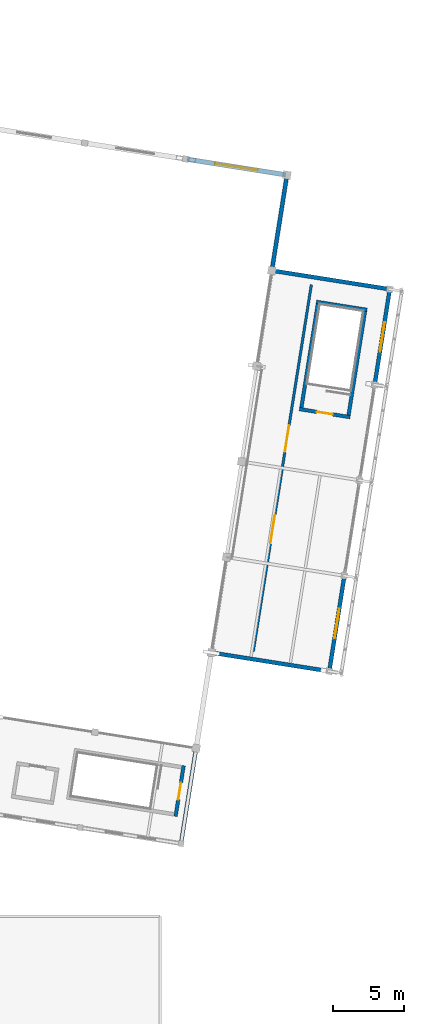
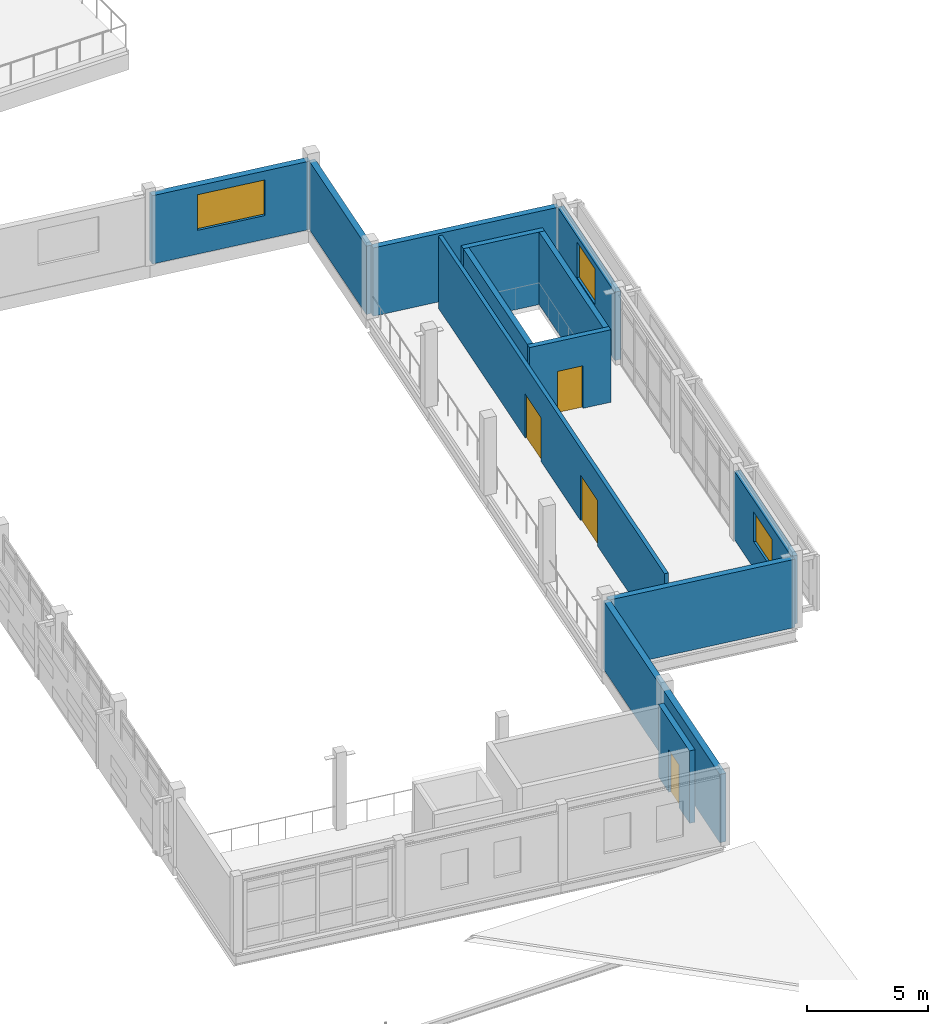
# One storey, part 102 of 117: 13 walls, 4 doors, 3 windows, 7 openings.
"""IFC4 building model written with IfcOpenShell, lengths in metres."""

from ifc_helpers import new_model, si_unit, direction, frame, frame_2d, origin, place, context, subcontext, project, spatial, rectangle, extrude, material, layer, layer_set, type_object, element, fill, save


model = new_model("IFC4")

# Units and contexts
model_context = context("Model", 3, precision=1e-05, world=origin(), true_north=direction((0.0, 1.0)))
body_context = subcontext(model_context, "Body", "Model", "MODEL_VIEW")
ifc_project = project(units=[si_unit("LENGTHUNIT", "METRE"), si_unit("AREAUNIT", "SQUARE_METRE"), si_unit("VOLUMEUNIT", "CUBIC_METRE"), si_unit("PLANEANGLEUNIT", "RADIAN"), si_unit("MASSUNIT", "GRAM", prefix="KILO")], contexts=[model_context])

# Site, building, storey
site_placement = place(None, origin())
site = spatial("IfcSite", under=ifc_project, at=site_placement, CompositionType="ELEMENT")
building_placement = place(site_placement, origin())
building = spatial("IfcBuilding", under=site, at=building_placement, Name="Cinderway Yard Community Centre", CompositionType="ELEMENT")
storey_placement = place(building_placement, frame((0.0, 0.0, 9.0)))
storey = spatial("IfcBuildingStorey", under=building, at=storey_placement, Name="L02", CompositionType="ELEMENT", Elevation=9.0)

# Wall, opening, window
ifc_material_1 = material(Name="Concrete C35/45", Category="concrete")
ifc_layer_1 = layer(ifc_material_1, 0.280029296875, Name="Concrete C35/45")
ifc_layer_set_1 = layer_set([ifc_layer_1], Name="Concrete C35/45")
wall_type_1 = type_object("IfcWallType", Name="ENV-WAL-EXT280", PredefinedType="SOLIDWALL", material=ifc_layer_set_1)
wall_1_placement = place(storey_placement, frame((148.7099609375, 40.1220703125, 0.0), z_axis=(0.0, 0.0, 1.0), x_axis=(0.156500089252, 0.987677944506, 0.0)))
wall_1 = element("IfcWall", 1, at=wall_1_placement, inside=storey, type_object=wall_type_1, Name="Athletics East Brick Wall ENV-WAL-L02-0082", PredefinedType="SOLIDWALL", context=body_context, shape_type="SweptSolid", body=[
    extrude(rectangle(XDim=6.600341796875, YDim=0.280029296875, at=frame_2d((3.30029296875, 0.0))), origin(), (0.0, 0.0, 1.0), 3.449951171875),
])
opening_1_placement = place(wall_1_placement, frame((2.25, 0.0, 1.35009765625)))
opening_1 = element("IfcOpeningElement", 2, at=opening_1_placement, cuts=wall_1, Name="Opening W-04", PredefinedType="OPENING", context=body_context, shape_type="SweptSolid", body=[
    extrude(rectangle(XDim=2.10009765625, YDim=1.5, at=frame_2d((1.050048828125, 0.75))), frame((0.0, 0.14990234375, 0.0), z_axis=(0.0, -1.0, 0.0), x_axis=(1.0, 0.0, 0.0)), (0.0, 0.0, 1.0), 0.300048828125),
])
ifc_material_2 = material(Name="Laminated Low-E Glass", Category="glass")
window_type_1 = type_object("IfcWindowType", Name="ENV-WIN-W04", PartitioningType="TRIPLE_PANEL_VERTICAL", PredefinedType="WINDOW", material=ifc_material_2)
window_1_placement = place(opening_1_placement, origin())
window_1 = element("IfcWindow", 3, at=window_1_placement, inside=storey, type_object=window_type_1, Name="Exterior window ENV-WIN-L02-0059", OverallHeight=1.5, OverallWidth=2.10009765625, PartitioningType="SINGLE_PANEL", PredefinedType="WINDOW", context=body_context, shape_type="SweptSolid", body=[
    extrude(rectangle(XDim=2.10009765625, YDim=1.5, at=frame_2d((1.050048828125, 0.75))), frame((0.0, 0.030029296875, 0.0), z_axis=(0.0, -1.0, 0.0), x_axis=(1.0, 0.0, 0.0)), (0.0, 0.0, 1.0), 0.06005859375),
])
fill(opening_1, window_1)

wall_2_placement = place(storey_placement, frame((151.90087890625, 60.27099609375, 0.0), z_axis=(0.0, 0.0, 1.0), x_axis=(0.156536171909, 0.987672226442, 0.0)))
wall_2 = element("IfcWall", 4, at=wall_2_placement, inside=storey, type_object=wall_type_1, Name="Athletics East Brick Wall ENV-WAL-L02-0083", PredefinedType="SOLIDWALL", context=body_context, shape_type="SweptSolid", body=[
    extrude(rectangle(XDim=6.600341796875, YDim=0.280029296875, at=frame_2d((3.30029296875, 0.0))), origin(), (0.0, 0.0, 1.0), 3.449951171875),
])
opening_2_placement = place(wall_2_placement, frame((2.25, 0.0, 1.35009765625)))
opening_2 = element("IfcOpeningElement", 5, at=opening_2_placement, cuts=wall_2, Name="Opening W-09", PredefinedType="OPENING", context=body_context, shape_type="SweptSolid", body=[
    extrude(rectangle(XDim=2.10009765625, YDim=1.800048828125, at=frame_2d((1.050048828125, 0.89990234375))), frame((0.0, 0.14990234375, 0.0), z_axis=(0.0, -1.0, 0.0), x_axis=(1.0, 0.0, 0.0)), (0.0, 0.0, 1.0), 0.300048828125),
])
window_type_2 = type_object("IfcWindowType", Name="ENV-WIN-W09", PartitioningType="TRIPLE_PANEL_VERTICAL", PredefinedType="WINDOW", material=ifc_material_2)
window_2_placement = place(opening_2_placement, origin())
window_2 = element("IfcWindow", 6, at=window_2_placement, inside=storey, type_object=window_type_2, Name="Exterior window ENV-WIN-L02-0060", OverallHeight=1.800048828125, OverallWidth=2.10009765625, PartitioningType="SINGLE_PANEL", PredefinedType="WINDOW", context=body_context, shape_type="SweptSolid", body=[
    extrude(rectangle(XDim=2.10009765625, YDim=1.800048828125, at=frame_2d((1.050048828125, 0.89990234375))), frame((0.0, 0.030029296875, 0.0), z_axis=(0.0, -1.0, 0.0), x_axis=(1.0, 0.0, 0.0)), (0.0, 0.0, 1.0), 0.06005859375),
])
fill(opening_2, window_2)

# Walls
wall_3_placement = place(storey_placement, frame((138.282958984375, 27.98388671875, 0.0), z_axis=(0.0, 0.0, 1.0), x_axis=(0.156407521508, 0.987692607655, 0.0)))
element("IfcWall", 7, at=wall_3_placement, inside=storey, type_object=wall_type_1, Name="Sports Return Wall ENV-WAL-L02-0085", PredefinedType="SOLIDWALL", context=body_context, shape_type="SweptSolid", body=[
    extrude(rectangle(XDim=13.439697265625, YDim=0.280029296875, at=frame_2d((6.7197265625, 0.0))), origin(), (0.0, 0.0, 1.0), 3.449951171875),
])
wall_4_placement = place(storey_placement, frame((140.47705078125, 41.323974609375, 0.0), z_axis=(0.0, 0.0, 1.0), x_axis=(0.98770403257, -0.156335357629, 0.0)))
element("IfcWall", 8, at=wall_4_placement, inside=storey, type_object=wall_type_1, Name="Sports Return Wall ENV-WAL-L02-0086", PredefinedType="SOLIDWALL", context=body_context, shape_type="SweptSolid", body=[
    extrude(rectangle(XDim=8.2392578125, YDim=0.280029296875, at=frame_2d((4.11962890625, 0.0))), origin(), (0.0, 0.0, 1.0), 3.449951171875),
])
wall_5_placement = place(storey_placement, frame((144.73193359375, 68.18896484375, 0.0), z_axis=(0.0, 0.0, 1.0), x_axis=(0.987704756752, -0.156330782283, 0.0)))
element("IfcWall", 9, at=wall_5_placement, inside=storey, type_object=wall_type_1, Name="Sports Return Wall ENV-WAL-L02-0087", PredefinedType="SOLIDWALL", context=body_context, shape_type="SweptSolid", body=[
    extrude(rectangle(XDim=8.239501953125, YDim=0.280029296875, at=frame_2d((4.11962890625, 0.0))), origin(), (0.0, 0.0, 1.0), 3.449951171875),
])
wall_6_placement = place(storey_placement, frame((144.666015625, 68.281005859375, 0.0), z_axis=(0.0, 0.0, 1.0), x_axis=(0.15632126228, 0.987706263501, 0.0)))
element("IfcWall", 10, at=wall_6_placement, inside=storey, type_object=wall_type_1, Name="Sports Return Wall ENV-WAL-L02-0088", PredefinedType="SOLIDWALL", context=body_context, shape_type="SweptSolid", body=[
    extrude(rectangle(XDim=6.640625, YDim=0.280029296875, at=frame_2d((3.3203125, 0.0))), origin(), (0.0, 0.0, 1.0), 3.449951171875),
])

# Wall, opening, window
ifc_material_3 = material(Name="Brick Masonry", Category="masonry")
ifc_layer_2 = layer(ifc_material_3, 0.300048828125, Name="Brick Masonry")
ifc_layer_set_2 = layer_set([ifc_layer_2], Name="Brick Masonry")
wall_type_2 = type_object("IfcWallType", Name="ENV-WAL-EXT300", PredefinedType="SOLIDWALL", material=ifc_layer_set_2)
wall_7_placement = place(storey_placement, frame((138.7041015625, 76.029052734375, 0.0), z_axis=(0.0, 0.0, 1.0), x_axis=(0.987689897735, -0.156424633332, 0.0)))
wall_7 = element("IfcWall", 11, at=wall_7_placement, inside=storey, type_object=wall_type_2, Name="Sports North End Wall ENV-WAL-L02-0081", PredefinedType="SOLIDWALL", context=body_context, shape_type="SweptSolid", body=[
    extrude(rectangle(XDim=7.0, YDim=0.300048828125, at=frame_2d((3.5, 0.0))), origin(), (0.0, 0.0, 1.0), 3.449951171875),
])
opening_3_placement = place(wall_7_placement, frame((2.0, 0.0, 1.199951171875)))
opening_3 = element("IfcOpeningElement", 12, at=opening_3_placement, cuts=wall_7, Name="Opening W-12", PredefinedType="OPENING", context=body_context, shape_type="SweptSolid", body=[
    extrude(rectangle(XDim=3.0, YDim=1.800048828125, at=frame_2d((1.5, 0.89990234375))), frame((0.0, 0.159912109375, 0.0), z_axis=(0.0, -1.0, 0.0), x_axis=(1.0, 0.0, 0.0)), (0.0, 0.0, 1.0), 0.320068359375),
])
window_type_3 = type_object("IfcWindowType", Name="ENV-WIN-W12", PartitioningType="TRIPLE_PANEL_VERTICAL", PredefinedType="WINDOW", material=ifc_material_2)
window_3_placement = place(opening_3_placement, origin())
window_3 = element("IfcWindow", 13, at=window_3_placement, inside=storey, type_object=window_type_3, Name="Exterior window ENV-WIN-L02-0058", OverallHeight=1.800048828125, OverallWidth=3.0, PartitioningType="SINGLE_PANEL", PredefinedType="WINDOW", context=body_context, shape_type="SweptSolid", body=[
    extrude(rectangle(XDim=3.0, YDim=1.800048828125, at=frame_2d((1.5, 0.89990234375))), frame((0.0, 0.030029296875, 0.0), z_axis=(0.0, -1.0, 0.0), x_axis=(1.0, 0.0, 0.0)), (0.0, 0.0, 1.0), 0.06005859375),
])
fill(opening_3, window_3)

# Wall, openings, doors
ifc_layer_3 = layer(ifc_material_3, 0.179931640625, Name="Brick Masonry")
ifc_layer_set_3 = layer_set([ifc_layer_3], Name="Brick Masonry")
wall_type_3 = type_object("IfcWallType", Name="INT-WAL-PRT180", PredefinedType="PARTITIONING", material=ifc_layer_set_3)
wall_8_placement = place(storey_placement, frame((143.347900390625, 41.427001953125, 0.0), z_axis=(0.0, 0.0, 1.0), x_axis=(0.156440506918, 0.987687383637, 0.0)))
wall_8 = element("IfcWall", 14, at=wall_8_placement, inside=storey, type_object=wall_type_3, Name="Athletics Corridor Spine INT-PRT-L02-0260", PredefinedType="PARTITIONING", context=body_context, shape_type="SweptSolid", body=[
    extrude(rectangle(XDim=26.099365234375, YDim=0.179931640625, at=frame_2d((13.0498046875, 0.0))), origin(), (0.0, 0.0, 1.0), 3.64501953125),
])
opening_4_placement = place(wall_8_placement, frame((7.699951171875, 0.0, 0.0)))
opening_4 = element("IfcOpeningElement", 15, at=opening_4_placement, cuts=wall_8, Name="Opening D-01", PredefinedType="OPENING", context=body_context, shape_type="SweptSolid", body=[
    extrude(rectangle(XDim=2.0, YDim=2.300048828125, at=frame_2d((1.0, 1.14990234375))), frame((0.0, 0.099853515625, 0.0), z_axis=(0.0, -1.0, 0.0), x_axis=(1.0, 0.0, 0.0)), (0.0, 0.0, 1.0), 0.199951171875),
])
opening_5_placement = place(wall_8_placement, frame((14.22509765625, 0.0, 0.0)))
opening_5 = element("IfcOpeningElement", 16, at=opening_5_placement, cuts=wall_8, Name="Opening D-02", PredefinedType="OPENING", context=body_context, shape_type="SweptSolid", body=[
    extrude(rectangle(XDim=1.85009765625, YDim=2.219970703125, at=frame_2d((0.925048828125, 1.10986328125))), frame((0.0, 0.099853515625, 0.0), z_axis=(0.0, -1.0, 0.0), x_axis=(1.0, 0.0, 0.0)), (0.0, 0.0, 1.0), 0.199951171875),
])
ifc_material_4 = material(Name="Hardwood Timber", Category="wood")
door_type_1 = type_object("IfcDoorType", Name="INT-DOR-HAL185", OperationType="DOUBLE_DOOR_SINGLE_SWING", PredefinedType="DOOR", material=ifc_material_4)
door_1_placement = place(opening_5_placement, origin())
door_1 = element("IfcDoor", 17, at=door_1_placement, inside=storey, type_object=door_type_1, Name="Room door INT-DOR-L02-0198", OperationType="DOUBLE_DOOR_SINGLE_SWING", OverallHeight=2.219970703125, OverallWidth=1.85009765625, PredefinedType="DOOR", context=body_context, shape_type="SweptSolid", body=[
    extrude(rectangle(XDim=1.85009765625, YDim=2.219970703125, at=frame_2d((0.925048828125, 1.10986328125))), frame((0.0, 0.02490234375, 0.0), z_axis=(0.0, -1.0, 0.0), x_axis=(1.0, 0.0, 0.0)), (0.0, 0.0, 1.0), 0.050048828125),
])
fill(opening_5, door_1)
door_type_2 = type_object("IfcDoorType", Name="INT-DOR-HAL200", OperationType="DOUBLE_DOOR_SINGLE_SWING", PredefinedType="DOOR", material=ifc_material_4)
door_2_placement = place(opening_4_placement, origin())
door_2 = element("IfcDoor", 18, at=door_2_placement, inside=storey, type_object=door_type_2, Name="Room door INT-DOR-L02-0197", OperationType="DOUBLE_DOOR_SINGLE_SWING", OverallHeight=2.300048828125, OverallWidth=2.0, PredefinedType="DOOR", context=body_context, shape_type="SweptSolid", body=[
    extrude(rectangle(XDim=2.0, YDim=2.300048828125, at=frame_2d((1.0, 1.14990234375))), frame((0.0, 0.02490234375, 0.0), z_axis=(0.0, -1.0, 0.0), x_axis=(1.0, 0.0, 0.0)), (0.0, 0.0, 1.0), 0.050048828125),
])
fill(opening_4, door_2)

# Wall, opening, door
ifc_material_5 = material(Name="Concrete C40/50", Category="concrete")
ifc_layer_4 = layer(ifc_material_5, 0.25, Name="Concrete C40/50")
ifc_layer_set_4 = layer_set([ifc_layer_4], Name="Concrete C40/50")
wall_type_4 = type_object("IfcWallType", Name="INT-WAL-SHR250", PredefinedType="SHEAR", material=ifc_layer_set_4)
wall_9_placement = place(storey_placement, frame((138.450927734375, 33.388916015625, 0.0), z_axis=(0.0, 0.0, 1.0), x_axis=(-0.156518291279, -0.987675060177, 0.0)))
wall_9 = element("IfcWall", 19, at=wall_9_placement, inside=storey, type_object=wall_type_4, Name="Stair ST-07 Entry Wall INT-WAL-L02-0169", PredefinedType="SHEAR", context=body_context, shape_type="SweptSolid", body=[
    extrude(rectangle(XDim=3.609375, YDim=0.25, at=frame_2d((1.8046875, 0.0))), origin(), (0.0, 0.0, 1.0), 3.659912109375),
])
opening_6_placement = place(wall_9_placement, frame((1.205078125, 0.0, 0.0)))
opening_6 = element("IfcOpeningElement", 20, at=opening_6_placement, cuts=wall_9, Name="Opening D-ST1", PredefinedType="OPENING", context=body_context, shape_type="SweptSolid", body=[
    extrude(rectangle(XDim=1.199951171875, YDim=2.14990234375, at=frame_2d((0.60009765625, 1.074951171875))), frame((0.0, 0.135009765625, 0.0), z_axis=(0.0, -1.0, 0.0), x_axis=(1.0, 0.0, 0.0)), (0.0, 0.0, 1.0), 0.27001953125),
])
ifc_material_6 = material(Name="Painted Galvanised Steel", Category="steel")
door_type_3 = type_object("IfcDoorType", Name="INT-DOR-ST120", OperationType="NOTDEFINED", PredefinedType="DOOR", material=ifc_material_6)
door_3_placement = place(opening_6_placement, origin())
door_3 = element("IfcDoor", 21, at=door_3_placement, inside=storey, type_object=door_type_3, Name="Core door INT-DOR-L02-0046", OperationType="SINGLE_SWING_LEFT", OverallHeight=2.14990234375, OverallWidth=1.199951171875, PredefinedType="DOOR", context=body_context, shape_type="SweptSolid", body=[
    extrude(rectangle(XDim=1.199951171875, YDim=2.14990234375, at=frame_2d((0.60009765625, 1.074951171875))), frame((0.0, 0.02490234375, 0.0), z_axis=(0.0, -1.0, 0.0), x_axis=(1.0, 0.0, 0.0)), (0.0, 0.0, 1.0), 0.050048828125),
])
fill(opening_6, door_3)

wall_10_placement = place(storey_placement, frame((150.153076171875, 57.89501953125, 0.0), z_axis=(0.0, 0.0, 1.0), x_axis=(-0.987676717047, 0.156507835599, 0.0)))
wall_10 = element("IfcWall", 22, at=wall_10_placement, inside=storey, type_object=wall_type_4, Name="Stair ST-08 Entry Wall INT-WAL-L02-0193", PredefinedType="SHEAR", context=body_context, shape_type="SweptSolid", body=[
    extrude(rectangle(XDim=3.609619140625, YDim=0.25, at=frame_2d((1.8046875, 0.0))), origin(), (0.0, 0.0, 1.0), 3.659912109375),
])
opening_7_placement = place(wall_10_placement, frame((1.235107421875, 0.0, 0.0)))
opening_7 = element("IfcOpeningElement", 23, at=opening_7_placement, cuts=wall_10, Name="Opening D-ST2", PredefinedType="OPENING", context=body_context, shape_type="SweptSolid", body=[
    extrude(rectangle(XDim=1.139892578125, YDim=2.14990234375, at=frame_2d((0.56982421875, 1.074951171875))), frame((0.0, 0.135009765625, 0.0), z_axis=(0.0, -1.0, 0.0), x_axis=(1.0, 0.0, 0.0)), (0.0, 0.0, 1.0), 0.27001953125),
])
door_type_4 = type_object("IfcDoorType", Name="INT-DOR-ST114", OperationType="NOTDEFINED", PredefinedType="DOOR", material=ifc_material_6)
door_4_placement = place(opening_7_placement, origin())
door_4 = element("IfcDoor", 24, at=door_4_placement, inside=storey, type_object=door_type_4, Name="Core door INT-DOR-L02-0052", OperationType="SINGLE_SWING_RIGHT", OverallHeight=2.14990234375, OverallWidth=1.139892578125, PredefinedType="DOOR", context=body_context, shape_type="SweptSolid", body=[
    extrude(rectangle(XDim=1.139892578125, YDim=2.14990234375, at=frame_2d((0.56982421875, 1.074951171875))), frame((0.0, 0.02490234375, 0.0), z_axis=(0.0, -1.0, 0.0), x_axis=(1.0, 0.0, 0.0)), (0.0, 0.0, 1.0), 0.050048828125),
])
fill(opening_7, door_4)

# Walls
wall_11_placement = place(storey_placement, frame((147.782958984375, 66.006103515625, 0.0), z_axis=(0.0, 0.0, 1.0), x_axis=(0.987664601714, -0.156584272906, 0.0)))
element("IfcWall", 25, at=wall_11_placement, inside=storey, type_object=wall_type_4, Name="Stair ST-08 Back Wall INT-WAL-L02-0194", PredefinedType="SHEAR", context=body_context, shape_type="SweptSolid", body=[
    extrude(rectangle(XDim=3.609375, YDim=0.25, at=frame_2d((1.8046875, 0.0))), origin(), (0.0, 0.0, 1.0), 3.659912109375),
])
wall_12_placement = place(storey_placement, frame((146.73095703125, 58.56396484375, 0.0), z_axis=(0.0, 0.0, 1.0), x_axis=(0.15642738738, 0.98768946156, 0.0)))
element("IfcWall", 26, at=wall_12_placement, inside=storey, type_object=wall_type_4, Name="Stair ST-08 Side Wall L INT-WAL-L02-0195", PredefinedType="SHEAR", context=body_context, shape_type="SweptSolid", body=[
    extrude(rectangle(XDim=7.39013671875, YDim=0.25, at=frame_2d((3.695068359375, 0.0))), origin(), (0.0, 0.0, 1.0), 3.659912109375),
])
wall_13_placement = place(storey_placement, frame((151.205078125, 65.3369140625, 0.0), z_axis=(0.0, 0.0, 1.0), x_axis=(-0.156432491725, -0.987688653136, 0.0)))
element("IfcWall", 27, at=wall_13_placement, inside=storey, type_object=wall_type_4, Name="Stair ST-08 Side Wall R INT-WAL-L02-0196", PredefinedType="SHEAR", context=body_context, shape_type="SweptSolid", body=[
    extrude(rectangle(XDim=7.389892578125, YDim=0.25, at=frame_2d((3.69482421875, 0.0))), origin(), (0.0, 0.0, 1.0), 3.659912109375),
])

save(model, "model.ifc")
